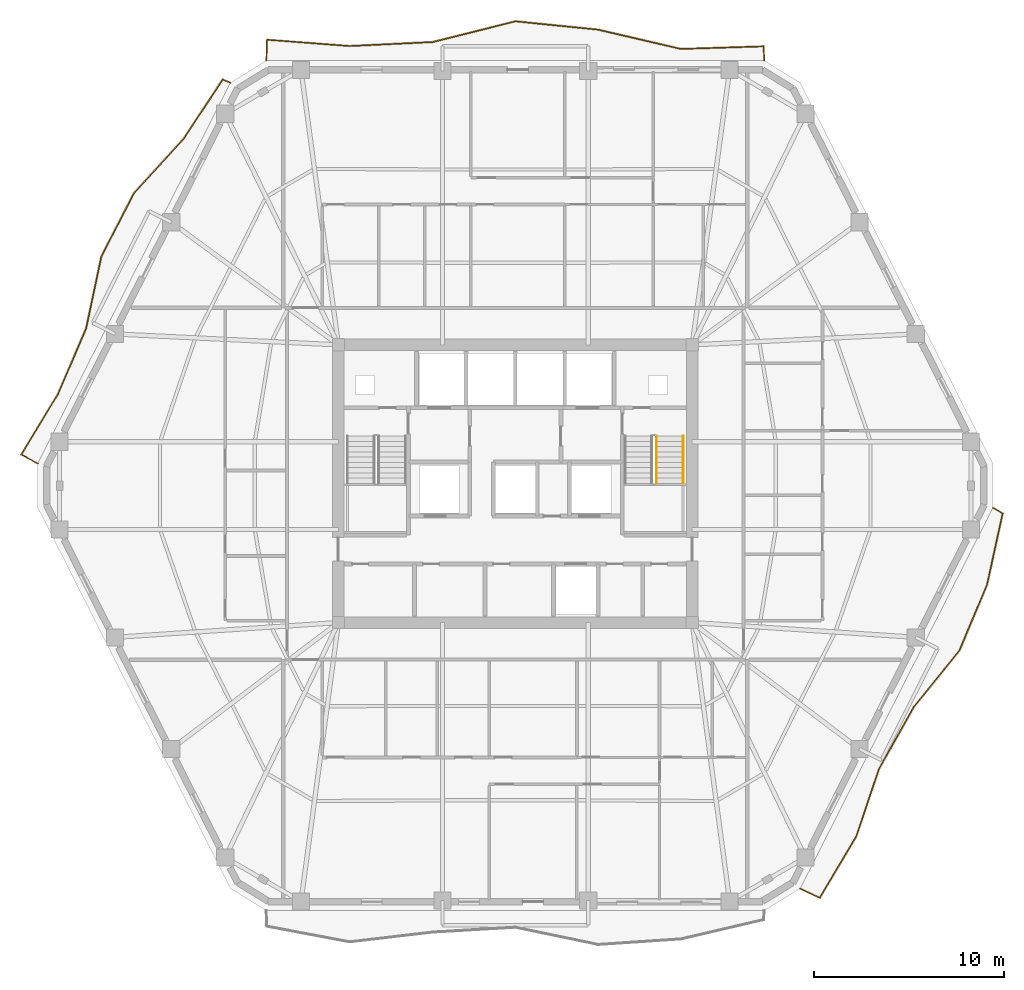
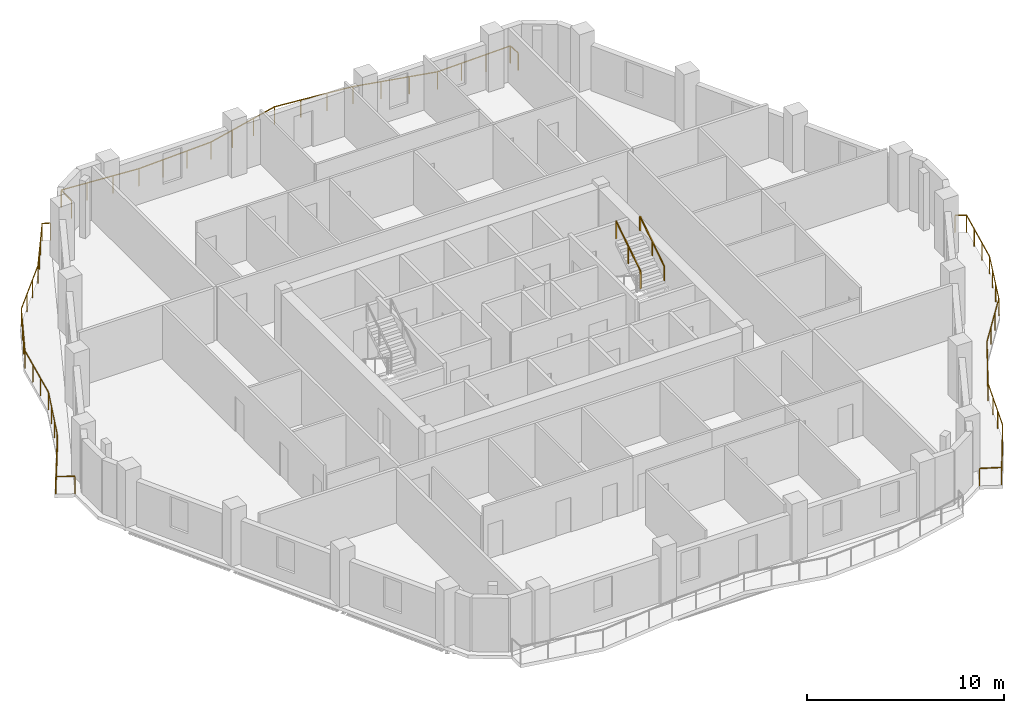
# One storey, part 10 of 10: 5 railings.
"""IFC4 building model written with IfcOpenShell, lengths in metres."""

from ifc_helpers import new_model, si_unit, direction, frame, origin, origin_2d, place, context, subcontext, project, spatial, rectangle, extrude, material, type_object, element, save


model = new_model("IFC4")

# Units and contexts
model_context = context("Model", 3, precision=1e-05, world=origin(), true_north=direction((0.0, 1.0)))
body_context = subcontext(model_context, "Body", "Model", "MODEL_VIEW")
ifc_project = project(units=[si_unit("LENGTHUNIT", "METRE"), si_unit("AREAUNIT", "SQUARE_METRE"), si_unit("VOLUMEUNIT", "CUBIC_METRE"), si_unit("PLANEANGLEUNIT", "RADIAN"), si_unit("MASSUNIT", "GRAM", prefix="KILO")], contexts=[model_context])

# Site, building, storey
site_placement = place(None, origin())
site = spatial("IfcSite", under=ifc_project, at=site_placement, CompositionType="ELEMENT")
building_placement = place(site_placement, origin())
building = spatial("IfcBuilding", under=site, at=building_placement, Name="Cinnabar Lancet Tower", CompositionType="ELEMENT")
storey_placement = place(building_placement, frame((0.0, 0.0, 164.14990234375)))
storey = spatial("IfcBuildingStorey", under=building, at=storey_placement, Name="L43", CompositionType="ELEMENT", Elevation=164.14990234375)

# Railings
ifc_material_1 = material(Name="Laminated safety glass and bronze stainless steel balustrade", Category="steel")
railing_type_1 = type_object("IfcRailingType", Name="ENV-RLG-BAL-1100", PredefinedType="BALUSTRADE", material=ifc_material_1)
railing_1_placement = place(storey_placement, frame((47.37890625, 4.610107421875, 0.0)))
element("IfcRailing", 1, at=railing_1_placement, inside=storey, type_object=railing_type_1, Name="L43 Face 2 Wave Balcony Balustrade", PredefinedType="BALUSTRADE", context=body_context, shape_type="SweptSolid", body=[
    extrude(rectangle(XDim=0.048095703125, YDim=0.048095703125, at=origin_2d()), frame((0.0, 0.0, 1.076171875), z_axis=(0.904392266512, -0.426702036875, 0.0), x_axis=(0.426702036875, 0.904392266512, 0.0)), (0.0, 0.0, 1.0), 1.130126953125),
    extrude(rectangle(XDim=0.048095703125, YDim=0.048095703125, at=origin_2d()), frame((1.02197265625, -0.482177734375, 1.076171875), z_axis=(0.512902087666, 0.858447114543, 0.0), x_axis=(-0.858447114543, 0.512902087666, 0.0)), (0.0, 0.0, 1.0), 3.741943359375),
    extrude(rectangle(XDim=0.048095703125, YDim=0.048095703125, at=origin_2d()), frame((2.941162109375, 2.72998046875, 1.076171875), z_axis=(0.318984444138, 0.94775995083, 0.0), x_axis=(-0.94775995083, 0.318984444138, 0.0)), (0.0, 0.0, 1.0), 3.77099609375),
    extrude(rectangle(XDim=0.048095703125, YDim=0.048095703125, at=origin_2d()), frame((4.14404296875, 6.303955078125, 1.076171875), z_axis=(0.489590575617, 0.871952446104, 0.0), x_axis=(-0.871952446104, 0.489590575617, 0.0)), (0.0, 0.0, 1.0), 3.73388671875),
    extrude(rectangle(XDim=0.048095703125, YDim=0.048095703125, at=origin_2d()), frame((5.97216796875, 9.559814453125, 1.076171875), z_axis=(0.629008610646, 0.777398332731, 0.0), x_axis=(-0.777398332731, 0.629008610646, 0.0)), (0.0, 0.0, 1.0), 3.8154296875),
    extrude(rectangle(XDim=0.048095703125, YDim=0.048095703125, at=origin_2d()), frame((8.3720703125, 12.52587890625, 1.076171875), z_axis=(0.387324571347, 0.92194342366, 0.0), x_axis=(-0.92194342366, 0.387324571347, 0.0)), (0.0, 0.0, 1.0), 3.740966796875),
    extrude(rectangle(XDim=0.048095703125, YDim=0.048095703125, at=origin_2d()), frame((9.821044921875, 15.974853515625, 1.076171875), z_axis=(0.213783775815, 0.976881004626, 0.0), x_axis=(-0.976881004626, 0.213783775815, 0.0)), (0.0, 0.0, 1.0), 3.854248046875),
    extrude(rectangle(XDim=0.048095703125, YDim=0.048095703125, at=origin_2d()), frame((10.64501953125, 19.739990234375, 1.076171875), z_axis=(-0.869849810948, 0.49331663908, 0.0), x_axis=(-0.49331663908, -0.869849810948, 0.0)), (0.0, 0.0, 1.0), 0.58740234375),
    extrude(rectangle(XDim=0.0419921875, YDim=0.0419921875, at=origin_2d()), origin(), (0.0, 0.0, 1.0), 1.052001953125),
    extrude(rectangle(XDim=0.0419921875, YDim=0.0419921875, at=origin_2d()), frame((1.02197265625, -0.482177734375, 0.0)), (0.0, 0.0, 1.0), 1.052001953125),
    extrude(rectangle(XDim=0.0419921875, YDim=0.0419921875, at=origin_2d()), frame((1.66162109375, 0.588623046875, 0.0)), (0.0, 0.0, 1.0), 1.052001953125),
    extrude(rectangle(XDim=0.0419921875, YDim=0.0419921875, at=origin_2d()), frame((2.301513671875, 1.6591796875, 0.0)), (0.0, 0.0, 1.0), 1.052001953125),
    extrude(rectangle(XDim=0.0419921875, YDim=0.0419921875, at=origin_2d()), frame((2.941162109375, 2.72998046875, 0.0)), (0.0, 0.0, 1.0), 1.052001953125),
    extrude(rectangle(XDim=0.0419921875, YDim=0.0419921875, at=origin_2d()), frame((3.342041015625, 3.92138671875, 0.0)), (0.0, 0.0, 1.0), 1.052001953125),
    extrude(rectangle(XDim=0.0419921875, YDim=0.0419921875, at=origin_2d()), frame((3.7431640625, 5.112548828125, 0.0)), (0.0, 0.0, 1.0), 1.052001953125),
    extrude(rectangle(XDim=0.0419921875, YDim=0.0419921875, at=origin_2d()), frame((4.14404296875, 6.303955078125, 0.0)), (0.0, 0.0, 1.0), 1.052001953125),
    extrude(rectangle(XDim=0.0419921875, YDim=0.0419921875, at=origin_2d()), frame((4.75341796875, 7.38916015625, 0.0)), (0.0, 0.0, 1.0), 1.052001953125),
    extrude(rectangle(XDim=0.0419921875, YDim=0.0419921875, at=origin_2d()), frame((5.36279296875, 8.474609375, 0.0)), (0.0, 0.0, 1.0), 1.052001953125),
    extrude(rectangle(XDim=0.0419921875, YDim=0.0419921875, at=origin_2d()), frame((5.97216796875, 9.559814453125, 0.0)), (0.0, 0.0, 1.0), 1.052001953125),
    extrude(rectangle(XDim=0.0419921875, YDim=0.0419921875, at=origin_2d()), frame((6.772216796875, 10.548583984375, 0.0)), (0.0, 0.0, 1.0), 1.052001953125),
    extrude(rectangle(XDim=0.0419921875, YDim=0.0419921875, at=origin_2d()), frame((7.572021484375, 11.537109375, 0.0)), (0.0, 0.0, 1.0), 1.052001953125),
    extrude(rectangle(XDim=0.0419921875, YDim=0.0419921875, at=origin_2d()), frame((8.3720703125, 12.52587890625, 0.0)), (0.0, 0.0, 1.0), 1.052001953125),
    extrude(rectangle(XDim=0.0419921875, YDim=0.0419921875, at=origin_2d()), frame((8.85498046875, 13.675537109375, 0.0)), (0.0, 0.0, 1.0), 1.052001953125),
    extrude(rectangle(XDim=0.0419921875, YDim=0.0419921875, at=origin_2d()), frame((9.338134765625, 14.8251953125, 0.0)), (0.0, 0.0, 1.0), 1.052001953125),
    extrude(rectangle(XDim=0.0419921875, YDim=0.0419921875, at=origin_2d()), frame((9.821044921875, 15.974853515625, 0.0)), (0.0, 0.0, 1.0), 1.052001953125),
    extrude(rectangle(XDim=0.0419921875, YDim=0.0419921875, at=origin_2d()), frame((10.095703125, 17.22998046875, 0.0)), (0.0, 0.0, 1.0), 1.052001953125),
    extrude(rectangle(XDim=0.0419921875, YDim=0.0419921875, at=origin_2d()), frame((10.370361328125, 18.48486328125, 0.0)), (0.0, 0.0, 1.0), 1.052001953125),
    extrude(rectangle(XDim=0.0419921875, YDim=0.0419921875, at=origin_2d()), frame((10.64501953125, 19.739990234375, 0.0)), (0.0, 0.0, 1.0), 1.052001953125),
    extrude(rectangle(XDim=0.0419921875, YDim=0.0419921875, at=origin_2d()), frame((10.134033203125, 20.02978515625, 0.0)), (0.0, 0.0, 1.0), 1.052001953125),
])
railing_2_placement = place(storey_placement, frame((45.491943359375, 48.14990234375, 0.0)))
element("IfcRailing", 2, at=railing_2_placement, inside=storey, type_object=railing_type_1, Name="L43 Face 4 Wave Balcony Balustrade", PredefinedType="BALUSTRADE", context=body_context, shape_type="SweptSolid", body=[
    extrude(rectangle(XDim=0.048095703125, YDim=0.048095703125, at=origin_2d()), frame((0.0, 0.0, 1.076171875), z_axis=(-0.045437316642, 0.998967191782, 0.0), x_axis=(-0.998967191782, -0.045437316642, 0.0)), (0.0, 0.0, 1.0), 0.746826171875),
    extrude(rectangle(XDim=0.048095703125, YDim=0.048095703125, at=origin_2d()), frame((-0.033935546875, 0.74609375, 1.076171875), z_axis=(-0.999512841113, -0.031210261941, 0.0), x_axis=(0.031210261941, -0.999512841113, 0.0)), (0.0, 0.0, 1.0), 4.357177734375),
    extrude(rectangle(XDim=0.048095703125, YDim=0.048095703125, at=origin_2d()), frame((-4.388916015625, 0.610107421875, 1.076171875), z_axis=(-0.973966801572, 0.22669069111, 0.0), x_axis=(-0.22669069111, -0.973966801572, 0.0)), (0.0, 0.0, 1.0), 4.46826171875),
    extrude(rectangle(XDim=0.048095703125, YDim=0.048095703125, at=origin_2d()), frame((-8.740966796875, 1.623046875, 1.076171875), z_axis=(-0.994949473565, 0.100377014559, 0.0), x_axis=(-0.100377014559, -0.994949473565, 0.0)), (0.0, 0.0, 1.0), 4.373046875),
    extrude(rectangle(XDim=0.048095703125, YDim=0.048095703125, at=origin_2d()), frame((-13.092041015625, 2.06201171875, 1.076171875), z_axis=(-0.970030330972, -0.242983861594, 0.0), x_axis=(0.242983861594, -0.970030330972, 0.0)), (0.0, 0.0, 1.0), 4.4853515625),
    extrude(rectangle(XDim=0.048095703125, YDim=0.048095703125, at=origin_2d()), frame((-17.44287109375, 0.97216796875, 1.076171875), z_axis=(-0.998838279118, -0.048188091554, 0.0), x_axis=(0.048188091554, -0.998838279118, 0.0)), (0.0, 0.0, 1.0), 4.357177734375),
    extrude(rectangle(XDim=0.048095703125, YDim=0.048095703125, at=origin_2d()), frame((-21.794921875, 0.76220703125, 1.076171875), z_axis=(-0.997072213973, 0.076465679376, 0.0), x_axis=(-0.076465679376, -0.997072213973, 0.0)), (0.0, 0.0, 1.0), 4.36767578125),
    extrude(rectangle(XDim=0.048095703125, YDim=0.048095703125, at=origin_2d()), frame((-26.14990234375, 1.09619140625, 1.076171875), z_axis=(-0.030942859812, -0.999521155067, 0.0), x_axis=(0.999521155067, -0.030942859812, 0.0)), (0.0, 0.0, 1.0), 1.0966796875),
    extrude(rectangle(XDim=0.0419921875, YDim=0.0419921875, at=origin_2d()), origin(), (0.0, 0.0, 1.0), 1.052001953125),
    extrude(rectangle(XDim=0.0419921875, YDim=0.0419921875, at=origin_2d()), frame((-0.033935546875, 0.74609375, 0.0)), (0.0, 0.0, 1.0), 1.052001953125),
    extrude(rectangle(XDim=0.0419921875, YDim=0.0419921875, at=origin_2d()), frame((-1.485595703125, 0.70068359375, 0.0)), (0.0, 0.0, 1.0), 1.052001953125),
    extrude(rectangle(XDim=0.0419921875, YDim=0.0419921875, at=origin_2d()), frame((-2.937255859375, 0.655517578125, 0.0)), (0.0, 0.0, 1.0), 1.052001953125),
    extrude(rectangle(XDim=0.0419921875, YDim=0.0419921875, at=origin_2d()), frame((-4.388916015625, 0.610107421875, 0.0)), (0.0, 0.0, 1.0), 1.052001953125),
    extrude(rectangle(XDim=0.0419921875, YDim=0.0419921875, at=origin_2d()), frame((-5.839599609375, 0.94775390625, 0.0)), (0.0, 0.0, 1.0), 1.052001953125),
    extrude(rectangle(XDim=0.0419921875, YDim=0.0419921875, at=origin_2d()), frame((-7.290283203125, 1.285400390625, 0.0)), (0.0, 0.0, 1.0), 1.052001953125),
    extrude(rectangle(XDim=0.0419921875, YDim=0.0419921875, at=origin_2d()), frame((-8.740966796875, 1.623046875, 0.0)), (0.0, 0.0, 1.0), 1.052001953125),
    extrude(rectangle(XDim=0.0419921875, YDim=0.0419921875, at=origin_2d()), frame((-10.19140625, 1.769287109375, 0.0)), (0.0, 0.0, 1.0), 1.052001953125),
    extrude(rectangle(XDim=0.0419921875, YDim=0.0419921875, at=origin_2d()), frame((-11.6416015625, 1.915771484375, 0.0)), (0.0, 0.0, 1.0), 1.052001953125),
    extrude(rectangle(XDim=0.0419921875, YDim=0.0419921875, at=origin_2d()), frame((-13.092041015625, 2.06201171875, 0.0)), (0.0, 0.0, 1.0), 1.052001953125),
    extrude(rectangle(XDim=0.0419921875, YDim=0.0419921875, at=origin_2d()), frame((-14.542236328125, 1.69873046875, 0.0)), (0.0, 0.0, 1.0), 1.052001953125),
    extrude(rectangle(XDim=0.0419921875, YDim=0.0419921875, at=origin_2d()), frame((-15.99267578125, 1.33544921875, 0.0)), (0.0, 0.0, 1.0), 1.052001953125),
    extrude(rectangle(XDim=0.0419921875, YDim=0.0419921875, at=origin_2d()), frame((-17.44287109375, 0.97216796875, 0.0)), (0.0, 0.0, 1.0), 1.052001953125),
    extrude(rectangle(XDim=0.0419921875, YDim=0.0419921875, at=origin_2d()), frame((-18.8935546875, 0.902099609375, 0.0)), (0.0, 0.0, 1.0), 1.052001953125),
    extrude(rectangle(XDim=0.0419921875, YDim=0.0419921875, at=origin_2d()), frame((-20.34423828125, 0.832275390625, 0.0)), (0.0, 0.0, 1.0), 1.052001953125),
    extrude(rectangle(XDim=0.0419921875, YDim=0.0419921875, at=origin_2d()), frame((-21.794921875, 0.76220703125, 0.0)), (0.0, 0.0, 1.0), 1.052001953125),
    extrude(rectangle(XDim=0.0419921875, YDim=0.0419921875, at=origin_2d()), frame((-23.24658203125, 0.87353515625, 0.0)), (0.0, 0.0, 1.0), 1.052001953125),
    extrude(rectangle(XDim=0.0419921875, YDim=0.0419921875, at=origin_2d()), frame((-24.6982421875, 0.98486328125, 0.0)), (0.0, 0.0, 1.0), 1.052001953125),
    extrude(rectangle(XDim=0.0419921875, YDim=0.0419921875, at=origin_2d()), frame((-26.14990234375, 1.09619140625, 0.0)), (0.0, 0.0, 1.0), 1.052001953125),
    extrude(rectangle(XDim=0.0419921875, YDim=0.0419921875, at=origin_2d()), frame((-26.183837890625, 0.0, 0.0)), (0.0, 0.0, 1.0), 1.052001953125),
])
railing_3_placement = place(storey_placement, frame((17.4208984375, 46.989990234375, 0.0)))
element("IfcRailing", 3, at=railing_3_placement, inside=storey, type_object=railing_type_1, Name="L43 Face 5 Wave Balcony Balustrade", PredefinedType="BALUSTRADE", context=body_context, shape_type="SweptSolid", body=[
    extrude(rectangle(XDim=0.048095703125, YDim=0.048095703125, at=origin_2d()), frame((0.0, 0.0, 1.076171875), z_axis=(-0.922846212014, 0.385168624074, 0.0), x_axis=(-0.385168624074, -0.922846212014, 0.0)), (0.0, 0.0, 1.0), 0.438720703125),
    extrude(rectangle(XDim=0.048095703125, YDim=0.048095703125, at=origin_2d()), frame((-0.40478515625, 0.1689453125, 1.076171875), z_axis=(-0.54915454663, -0.835720816969, 0.0), x_axis=(0.835720816969, -0.54915454663, 0.0)), (0.0, 0.0, 1.0), 3.757080078125),
    extrude(rectangle(XDim=0.048095703125, YDim=0.048095703125, at=origin_2d()), frame((-2.468017578125, -2.970947265625, 1.076171875), z_axis=(-0.67485355956, -0.737951673993, 0.0), x_axis=(0.737951673993, -0.67485355956, 0.0)), (0.0, 0.0, 1.0), 3.873046875),
    extrude(rectangle(XDim=0.048095703125, YDim=0.048095703125, at=origin_2d()), frame((-5.081787109375, -5.8291015625, 1.076171875), z_axis=(-0.456768295663, -0.889585703616, 0.0), x_axis=(0.889585703616, -0.456768295663, 0.0)), (0.0, 0.0, 1.0), 3.730712890625),
    extrude(rectangle(XDim=0.048095703125, YDim=0.048095703125, at=origin_2d()), frame((-6.785888671875, -9.14794921875, 1.076171875), z_axis=(-0.20780503899, -0.978170264203, 0.0), x_axis=(0.978170264203, -0.20780503899, 0.0)), (0.0, 0.0, 1.0), 3.859375),
    extrude(rectangle(XDim=0.048095703125, YDim=0.048095703125, at=origin_2d()), frame((-7.587890625, -12.923095703125, 1.076171875), z_axis=(-0.393454241438, -0.91934420099, 0.0), x_axis=(0.91934420099, -0.393454241438, 0.0)), (0.0, 0.0, 1.0), 3.738525390625),
    extrude(rectangle(XDim=0.048095703125, YDim=0.048095703125, at=origin_2d()), frame((-9.058837890625, -16.360107421875, 1.076171875), z_axis=(-0.516997166812, -0.855987108261, 0.0), x_axis=(0.855987108261, -0.516997166812, 0.0)), (0.0, 0.0, 1.0), 3.742919921875),
    extrude(rectangle(XDim=0.048095703125, YDim=0.048095703125, at=origin_2d()), frame((-10.993896484375, -19.56396484375, 1.076171875), z_axis=(0.879217923845, -0.476419817377, 0.0), x_axis=(0.476419817377, 0.879217923845, 0.0)), (0.0, 0.0, 1.0), 0.978271484375),
    extrude(rectangle(XDim=0.0419921875, YDim=0.0419921875, at=origin_2d()), origin(), (0.0, 0.0, 1.0), 1.052001953125),
    extrude(rectangle(XDim=0.0419921875, YDim=0.0419921875, at=origin_2d()), frame((-0.40478515625, 0.1689453125, 0.0)), (0.0, 0.0, 1.0), 1.052001953125),
    extrude(rectangle(XDim=0.0419921875, YDim=0.0419921875, at=origin_2d()), frame((-1.092529296875, -0.877685546875, 0.0)), (0.0, 0.0, 1.0), 1.052001953125),
    extrude(rectangle(XDim=0.0419921875, YDim=0.0419921875, at=origin_2d()), frame((-1.7802734375, -1.92431640625, 0.0)), (0.0, 0.0, 1.0), 1.052001953125),
    extrude(rectangle(XDim=0.0419921875, YDim=0.0419921875, at=origin_2d()), frame((-2.468017578125, -2.970947265625, 0.0)), (0.0, 0.0, 1.0), 1.052001953125),
    extrude(rectangle(XDim=0.0419921875, YDim=0.0419921875, at=origin_2d()), frame((-3.33935546875, -3.923583984375, 0.0)), (0.0, 0.0, 1.0), 1.052001953125),
    extrude(rectangle(XDim=0.0419921875, YDim=0.0419921875, at=origin_2d()), frame((-4.21044921875, -4.87646484375, 0.0)), (0.0, 0.0, 1.0), 1.052001953125),
    extrude(rectangle(XDim=0.0419921875, YDim=0.0419921875, at=origin_2d()), frame((-5.081787109375, -5.8291015625, 0.0)), (0.0, 0.0, 1.0), 1.052001953125),
    extrude(rectangle(XDim=0.0419921875, YDim=0.0419921875, at=origin_2d()), frame((-5.64990234375, -6.935302734375, 0.0)), (0.0, 0.0, 1.0), 1.052001953125),
    extrude(rectangle(XDim=0.0419921875, YDim=0.0419921875, at=origin_2d()), frame((-6.2177734375, -8.041748046875, 0.0)), (0.0, 0.0, 1.0), 1.052001953125),
    extrude(rectangle(XDim=0.0419921875, YDim=0.0419921875, at=origin_2d()), frame((-6.785888671875, -9.14794921875, 0.0)), (0.0, 0.0, 1.0), 1.052001953125),
    extrude(rectangle(XDim=0.0419921875, YDim=0.0419921875, at=origin_2d()), frame((-7.05322265625, -10.40625, 0.0)), (0.0, 0.0, 1.0), 1.052001953125),
    extrude(rectangle(XDim=0.0419921875, YDim=0.0419921875, at=origin_2d()), frame((-7.320556640625, -11.664794921875, 0.0)), (0.0, 0.0, 1.0), 1.052001953125),
    extrude(rectangle(XDim=0.0419921875, YDim=0.0419921875, at=origin_2d()), frame((-7.587890625, -12.923095703125, 0.0)), (0.0, 0.0, 1.0), 1.052001953125),
    extrude(rectangle(XDim=0.0419921875, YDim=0.0419921875, at=origin_2d()), frame((-8.078125, -14.06884765625, 0.0)), (0.0, 0.0, 1.0), 1.052001953125),
    extrude(rectangle(XDim=0.0419921875, YDim=0.0419921875, at=origin_2d()), frame((-8.568603515625, -15.21435546875, 0.0)), (0.0, 0.0, 1.0), 1.052001953125),
    extrude(rectangle(XDim=0.0419921875, YDim=0.0419921875, at=origin_2d()), frame((-9.058837890625, -16.360107421875, 0.0)), (0.0, 0.0, 1.0), 1.052001953125),
    extrude(rectangle(XDim=0.0419921875, YDim=0.0419921875, at=origin_2d()), frame((-9.703857421875, -17.427978515625, 0.0)), (0.0, 0.0, 1.0), 1.052001953125),
    extrude(rectangle(XDim=0.0419921875, YDim=0.0419921875, at=origin_2d()), frame((-10.348876953125, -18.49609375, 0.0)), (0.0, 0.0, 1.0), 1.052001953125),
    extrude(rectangle(XDim=0.0419921875, YDim=0.0419921875, at=origin_2d()), frame((-10.993896484375, -19.56396484375, 0.0)), (0.0, 0.0, 1.0), 1.052001953125),
    extrude(rectangle(XDim=0.0419921875, YDim=0.0419921875, at=origin_2d()), frame((-10.1337890625, -20.030029296875, 0.0)), (0.0, 0.0, 1.0), 1.052001953125),
])
ifc_material_2 = material(Name="Painted galvanized steel balustrade", Category="steel")
railing_type_2 = type_object("IfcRailingType", Name="GUARD-STAIR", PredefinedType="GUARDRAIL", material=ifc_material_2)
railing_4_placement = place(storey_placement, frame((39.824951171875, 25.925048828125, 1.95263671875)))
element("IfcRailing", 4, at=railing_4_placement, inside=storey, type_object=railing_type_2, Name="L43 ST-2 stair guard 3", PredefinedType="GUARDRAIL", context=body_context, shape_type="SweptSolid", body=[
    extrude(rectangle(XDim=0.048095703125, YDim=0.048095703125, at=origin_2d()), frame((0.0, 0.0, 1.076171875), z_axis=(0.0, 0.840183358697, 0.542302428327), x_axis=(-1.0, 0.0, 0.0)), (0.0, 0.0, 1.0), 2.945556640625),
    extrude(rectangle(XDim=0.0419921875, YDim=0.0419921875, at=origin_2d()), origin(), (0.0, 0.0, 1.0), 1.052001953125),
    extrude(rectangle(XDim=0.0419921875, YDim=0.0419921875, at=origin_2d()), frame((0.0, 1.2373046875, 0.798828125)), (0.0, 0.0, 1.0), 1.052001953125),
    extrude(rectangle(XDim=0.0419921875, YDim=0.0419921875, at=origin_2d()), frame((0.0, 2.474853515625, 1.597412109375)), (0.0, 0.0, 1.0), 1.052001953125),
])
ifc_material_3 = material(Name="Brushed stainless steel handrail", Category="steel")
railing_type_3 = type_object("IfcRailingType", Name="HANDRAIL-STAIR", PredefinedType="HANDRAIL", material=ifc_material_3)
railing_5_placement = place(storey_placement, frame((41.22509765625, 25.925048828125, 1.95263671875)))
element("IfcRailing", 5, at=railing_5_placement, inside=storey, type_object=railing_type_3, Name="L43 ST-2 stair handrail 2", PredefinedType="HANDRAIL", context=body_context, shape_type="SweptSolid", body=[
    extrude(rectangle(XDim=0.048095703125, YDim=0.048095703125, at=origin_2d()), frame((0.0, 0.0, 0.8759765625), z_axis=(0.0, 0.840183358697, 0.542302428327), x_axis=(-1.0, 0.0, 0.0)), (0.0, 0.0, 1.0), 2.945556640625),
    extrude(rectangle(XDim=0.0419921875, YDim=0.0419921875, at=origin_2d()), origin(), (0.0, 0.0, 1.0), 0.851806640625),
    extrude(rectangle(XDim=0.0419921875, YDim=0.0419921875, at=origin_2d()), frame((0.0, 1.2373046875, 0.798828125)), (0.0, 0.0, 1.0), 0.851806640625),
    extrude(rectangle(XDim=0.0419921875, YDim=0.0419921875, at=origin_2d()), frame((0.0, 2.474853515625, 1.597412109375)), (0.0, 0.0, 1.0), 0.851806640625),
])

save(model, "model.ifc")
